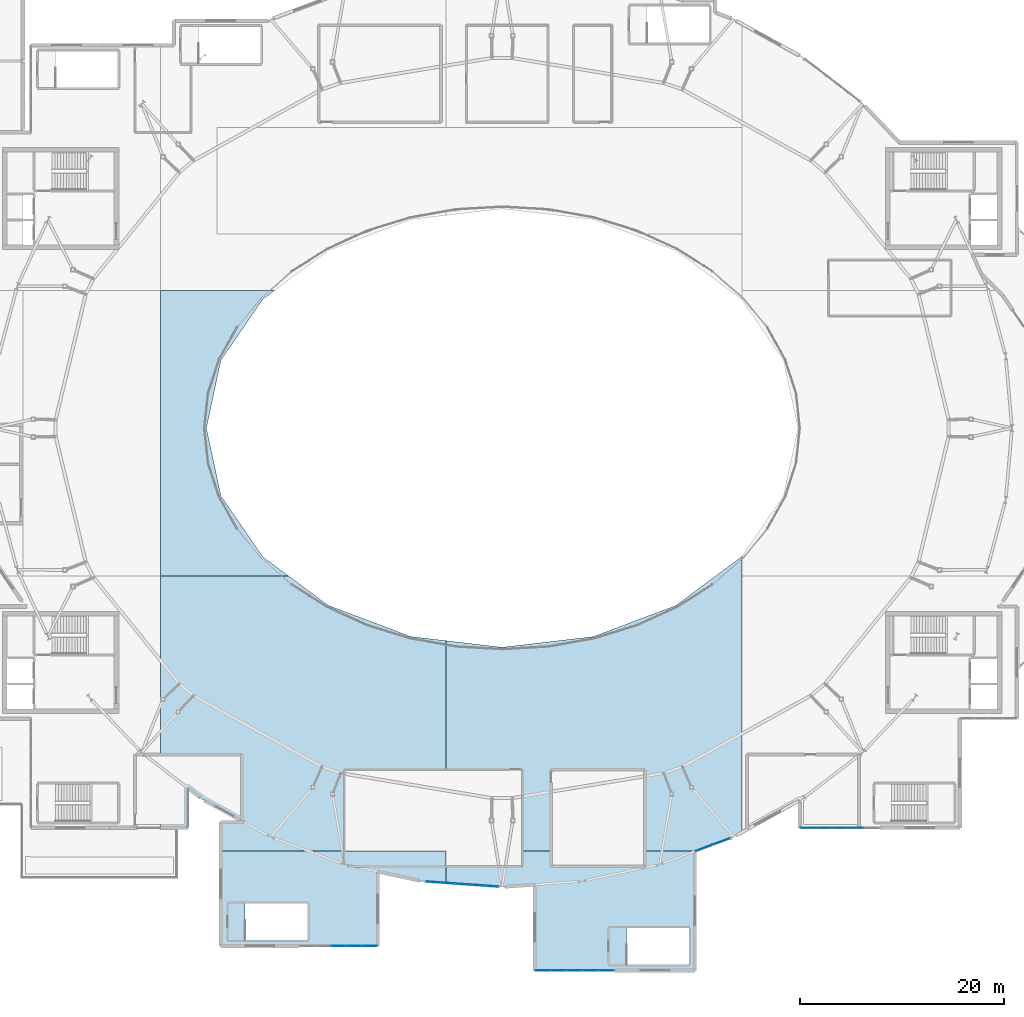
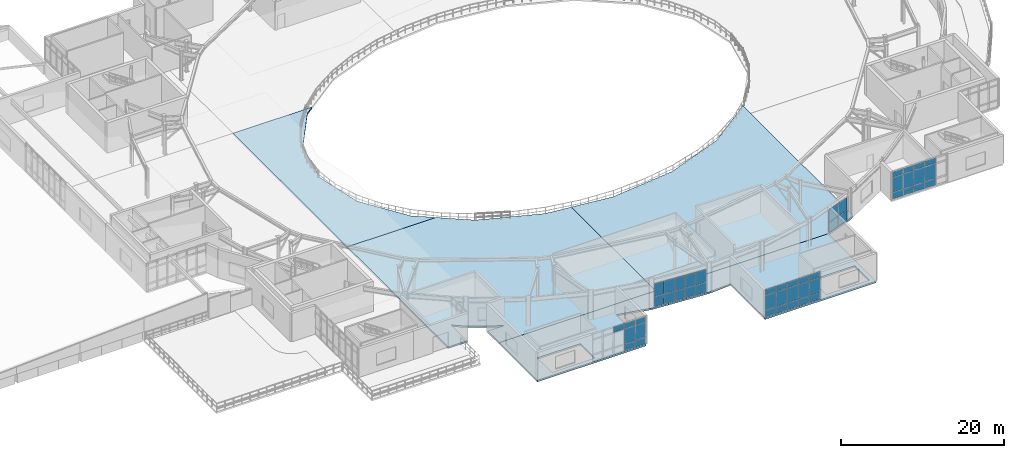
# One storey, part 32 of 48: 48 plates, 5 slabs, 5 elements without a shape of their own.
"""IFC4 building model written with IfcOpenShell, lengths in metres."""

from ifc_helpers import new_model, si_unit, direction, frame, origin, origin_2d, place, context, subcontext, project, spatial, polyline, rectangle, outline, extrude, material, layer, layer_set, type_object, element, aggregate, save


model = new_model("IFC4")

# Units and contexts
model_context = context("Model", 3, precision=1e-05, world=origin(), true_north=direction((0.0, 1.0)))
body_context = subcontext(model_context, "Body", "Model", "MODEL_VIEW")
ifc_project = project(units=[si_unit("LENGTHUNIT", "METRE"), si_unit("AREAUNIT", "SQUARE_METRE"), si_unit("VOLUMEUNIT", "CUBIC_METRE"), si_unit("PLANEANGLEUNIT", "RADIAN"), si_unit("MASSUNIT", "GRAM", prefix="KILO")], contexts=[model_context])

# Site, building, storey
site_placement = place(None, origin())
site = spatial("IfcSite", under=ifc_project, at=site_placement, CompositionType="ELEMENT")
building_placement = place(site_placement, origin())
building = spatial("IfcBuilding", under=site, at=building_placement, Name="Glasvene Arena", CompositionType="ELEMENT")
storey_placement = place(building_placement, frame((0.0, 0.0, 19.5)))
storey = spatial("IfcBuildingStorey", under=building, at=storey_placement, Name="L04", CompositionType="ELEMENT", Elevation=19.5)

# Curtain wall, plates
ifc_material_1 = material(Name="Low-emissivity laminated double glazing", Category="glass")
curtain_wall_type_1 = type_object("IfcCurtainWallType", Name="CW-FAC-L03-777x419", PredefinedType="USERDEFINED", material=ifc_material_1)
curtain_wall_1_placement = place(storey_placement, frame((129.010009765625, 33.800048828125, 0.0)))
curtain_wall_1 = element("IfcCurtainWall", 1, at=curtain_wall_1_placement, inside=storey, type_object=curtain_wall_type_1, Name="Unitised curtain wall CW-F-L04-180-1251-338-49", ObjectType="CURTAIN WALL", PredefinedType="USERDEFINED")
ifc_layer_1 = layer(ifc_material_1, 0.028076171875)
ifc_layer_set_1 = layer_set([ifc_layer_1], Name="Low-emissivity laminated double glazing")
plate_type = type_object("IfcPlateType", Name="CW-GLZ-28", PredefinedType="CURTAIN_PANEL", material=ifc_layer_set_1)
plate_1_placement = place(storey_placement, frame((126.678955078125, 33.800048828125, 0.10986328125), z_axis=(0.0, 0.0, 1.0), x_axis=(-1.0, 0.0, 0.0)))
plate_1 = element("IfcPlate", 2, at=plate_1_placement, type_object=plate_type, Name="CW-042 panel 2.1", PredefinedType="CURTAIN_PANEL", context=body_context, shape_type="SweptSolid", body=[
    extrude(rectangle(XDim=1.50390625, YDim=0.028076171875, at=origin_2d()), origin(), (0.0, 0.0, 1.0), 0.965087890625),
])
plate_2_placement = place(storey_placement, frame((126.678955078125, 33.800048828125, 1.125), z_axis=(0.0, 0.0, 1.0), x_axis=(-1.0, 0.0, 0.0)))
plate_2 = element("IfcPlate", 3, at=plate_2_placement, type_object=plate_type, Name="CW-042 panel 2.2", PredefinedType="CURTAIN_PANEL", context=body_context, shape_type="SweptSolid", body=[
    extrude(rectangle(XDim=1.50390625, YDim=0.028076171875, at=origin_2d()), origin(), (0.0, 0.0, 1.0), 2.199951171875),
])
plate_3_placement = place(storey_placement, frame((126.678955078125, 33.800048828125, 3.375), z_axis=(0.0, 0.0, 1.0), x_axis=(-1.0, 0.0, 0.0)))
plate_3 = element("IfcPlate", 4, at=plate_3_placement, type_object=plate_type, Name="CW-042 panel 2.3", PredefinedType="CURTAIN_PANEL", context=body_context, shape_type="SweptSolid", body=[
    extrude(rectangle(XDim=1.50390625, YDim=0.028076171875, at=origin_2d()), origin(), (0.0, 0.0, 1.0), 0.824951171875),
])
plate_4_placement = place(storey_placement, frame((125.125, 33.800048828125, 0.10986328125), z_axis=(0.0, 0.0, 1.0), x_axis=(-1.0, 0.0, 0.0)))
plate_4 = element("IfcPlate", 5, at=plate_4_placement, type_object=plate_type, Name="CW-042 panel 3.1", PredefinedType="CURTAIN_PANEL", context=body_context, shape_type="SweptSolid", body=[
    extrude(rectangle(XDim=1.50390625, YDim=0.028076171875, at=origin_2d()), origin(), (0.0, 0.0, 1.0), 0.965087890625),
])
plate_5_placement = place(storey_placement, frame((125.125, 33.800048828125, 1.125), z_axis=(0.0, 0.0, 1.0), x_axis=(-1.0, 0.0, 0.0)))
plate_5 = element("IfcPlate", 6, at=plate_5_placement, type_object=plate_type, Name="CW-042 panel 3.2", PredefinedType="CURTAIN_PANEL", context=body_context, shape_type="SweptSolid", body=[
    extrude(rectangle(XDim=1.50390625, YDim=0.028076171875, at=origin_2d()), origin(), (0.0, 0.0, 1.0), 2.199951171875),
])
plate_6_placement = place(storey_placement, frame((125.125, 33.800048828125, 3.375), z_axis=(0.0, 0.0, 1.0), x_axis=(-1.0, 0.0, 0.0)))
plate_6 = element("IfcPlate", 7, at=plate_6_placement, type_object=plate_type, Name="CW-042 panel 3.3", PredefinedType="CURTAIN_PANEL", context=body_context, shape_type="SweptSolid", body=[
    extrude(rectangle(XDim=1.50390625, YDim=0.028076171875, at=origin_2d()), origin(), (0.0, 0.0, 1.0), 0.824951171875),
])
plate_7_placement = place(storey_placement, frame((123.571044921875, 33.800048828125, 0.10986328125), z_axis=(0.0, 0.0, 1.0), x_axis=(-1.0, 0.0, 0.0)))
plate_7 = element("IfcPlate", 8, at=plate_7_placement, type_object=plate_type, Name="CW-042 panel 4.1", PredefinedType="CURTAIN_PANEL", context=body_context, shape_type="SweptSolid", body=[
    extrude(rectangle(XDim=1.50390625, YDim=0.028076171875, at=origin_2d()), origin(), (0.0, 0.0, 1.0), 0.965087890625),
])
plate_8_placement = place(storey_placement, frame((123.571044921875, 33.800048828125, 1.125), z_axis=(0.0, 0.0, 1.0), x_axis=(-1.0, 0.0, 0.0)))
plate_8 = element("IfcPlate", 9, at=plate_8_placement, type_object=plate_type, Name="CW-042 panel 4.2", PredefinedType="CURTAIN_PANEL", context=body_context, shape_type="SweptSolid", body=[
    extrude(rectangle(XDim=1.50390625, YDim=0.028076171875, at=origin_2d()), origin(), (0.0, 0.0, 1.0), 2.199951171875),
])
plate_9_placement = place(storey_placement, frame((123.571044921875, 33.800048828125, 3.375), z_axis=(0.0, 0.0, 1.0), x_axis=(-1.0, 0.0, 0.0)))
plate_9 = element("IfcPlate", 10, at=plate_9_placement, type_object=plate_type, Name="CW-042 panel 4.3", PredefinedType="CURTAIN_PANEL", context=body_context, shape_type="SweptSolid", body=[
    extrude(rectangle(XDim=1.50390625, YDim=0.028076171875, at=origin_2d()), origin(), (0.0, 0.0, 1.0), 0.824951171875),
])
plate_10_placement = place(storey_placement, frame((122.029541015625, 33.800048828125, 0.10986328125), z_axis=(0.0, 0.0, 1.0), x_axis=(-1.0, 0.0, 0.0)))
plate_10 = element("IfcPlate", 11, at=plate_10_placement, type_object=plate_type, Name="CW-042 panel 5.1", PredefinedType="CURTAIN_PANEL", context=body_context, shape_type="SweptSolid", body=[
    extrude(rectangle(XDim=1.47900390625, YDim=0.028076171875, at=origin_2d()), origin(), (0.0, 0.0, 1.0), 0.965087890625),
])
plate_11_placement = place(storey_placement, frame((122.029541015625, 33.800048828125, 1.125), z_axis=(0.0, 0.0, 1.0), x_axis=(-1.0, 0.0, 0.0)))
plate_11 = element("IfcPlate", 12, at=plate_11_placement, type_object=plate_type, Name="CW-042 panel 5.2", PredefinedType="CURTAIN_PANEL", context=body_context, shape_type="SweptSolid", body=[
    extrude(rectangle(XDim=1.47900390625, YDim=0.028076171875, at=origin_2d()), origin(), (0.0, 0.0, 1.0), 2.199951171875),
])
plate_12_placement = place(storey_placement, frame((122.029541015625, 33.800048828125, 3.375), z_axis=(0.0, 0.0, 1.0), x_axis=(-1.0, 0.0, 0.0)))
plate_12 = element("IfcPlate", 13, at=plate_12_placement, type_object=plate_type, Name="CW-042 panel 5.3", PredefinedType="CURTAIN_PANEL", context=body_context, shape_type="SweptSolid", body=[
    extrude(rectangle(XDim=1.47900390625, YDim=0.028076171875, at=origin_2d()), origin(), (0.0, 0.0, 1.0), 0.824951171875),
])
aggregate(curtain_wall_1, [plate_1, plate_2, plate_3, plate_4, plate_5, plate_6, plate_7, plate_8, plate_9, plate_10, plate_11, plate_12])

curtain_wall_type_2 = type_object("IfcCurtainWallType", Name="CW-FAC-L04-364x350", PredefinedType="USERDEFINED", material=ifc_material_1)
curtain_wall_2_placement = place(storey_placement, frame((114.351806640625, 32.77490234375, 0.0)))
curtain_wall_2 = element("IfcCurtainWall", 14, at=curtain_wall_2_placement, inside=storey, type_object=curtain_wall_type_2, Name="Unitised curtain wall CW-F-L04-150-1126-321-52", ObjectType="CURTAIN WALL", PredefinedType="USERDEFINED")
plate_13_placement = place(storey_placement, frame((113.486328125, 32.452392578125, 0.10986328125), z_axis=(0.0, 0.0, 1.0), x_axis=(-0.937015376263, -0.34928811123, 0.0)))
plate_13 = element("IfcPlate", 15, at=plate_13_placement, type_object=plate_type, Name="CW-052 panel 1.1", PredefinedType="CURTAIN_PANEL", context=body_context, shape_type="SweptSolid", body=[
    extrude(rectangle(XDim=1.746826171875, YDim=0.028076171875, at=origin_2d()), origin(), (0.0, 0.0, 1.0), 1.468017578125),
])
plate_14_placement = place(storey_placement, frame((113.486328125, 32.452392578125, 1.6279296875), z_axis=(0.0, 0.0, 1.0), x_axis=(-0.937015376263, -0.34928811123, 0.0)))
plate_14 = element("IfcPlate", 16, at=plate_14_placement, type_object=plate_type, Name="CW-052 panel 1.2", PredefinedType="CURTAIN_PANEL", context=body_context, shape_type="SweptSolid", body=[
    extrude(rectangle(XDim=1.746826171875, YDim=0.028076171875, at=origin_2d()), origin(), (0.0, 0.0, 1.0), 1.884033203125),
])
plate_15_placement = place(storey_placement, frame((111.802734375, 31.824951171875, 0.10986328125), z_axis=(0.0, 0.0, 1.0), x_axis=(-0.937015376263, -0.34928811123, 0.0)))
plate_15 = element("IfcPlate", 17, at=plate_15_placement, type_object=plate_type, Name="CW-052 panel 2.1", PredefinedType="CURTAIN_PANEL", context=body_context, shape_type="SweptSolid", body=[
    extrude(rectangle(XDim=1.746826171875, YDim=0.028076171875, at=origin_2d()), origin(), (0.0, 0.0, 1.0), 1.468017578125),
])
plate_16_placement = place(storey_placement, frame((111.802734375, 31.824951171875, 1.6279296875), z_axis=(0.0, 0.0, 1.0), x_axis=(-0.937015376263, -0.34928811123, 0.0)))
plate_16 = element("IfcPlate", 18, at=plate_16_placement, type_object=plate_type, Name="CW-052 panel 2.2", PredefinedType="CURTAIN_PANEL", context=body_context, shape_type="SweptSolid", body=[
    extrude(rectangle(XDim=1.746826171875, YDim=0.028076171875, at=origin_2d()), origin(), (0.0, 0.0, 1.0), 1.884033203125),
])
aggregate(curtain_wall_2, [plate_13, plate_14, plate_15, plate_16])

curtain_wall_3_placement = place(storey_placement, frame((103.010009765625, 19.800048828125, 0.0)))
curtain_wall_3 = element("IfcCurtainWall", 19, at=curtain_wall_3_placement, inside=storey, type_object=curtain_wall_type_1, Name="Unitised curtain wall CW-F-L04-180-991-198-55", ObjectType="CURTAIN WALL", PredefinedType="USERDEFINED")
plate_17_placement = place(storey_placement, frame((102.220458984375, 19.800048828125, 0.10986328125), z_axis=(0.0, 0.0, 1.0), x_axis=(-1.0, 0.0, 0.0)))
plate_17 = element("IfcPlate", 20, at=plate_17_placement, type_object=plate_type, Name="CW-042 panel 1.1", PredefinedType="CURTAIN_PANEL", context=body_context, shape_type="SweptSolid", body=[
    extrude(rectangle(XDim=1.47900390625, YDim=0.028076171875, at=origin_2d()), origin(), (0.0, 0.0, 1.0), 0.965087890625),
])
plate_18_placement = place(storey_placement, frame((102.220458984375, 19.800048828125, 1.125), z_axis=(0.0, 0.0, 1.0), x_axis=(-1.0, 0.0, 0.0)))
plate_18 = element("IfcPlate", 21, at=plate_18_placement, type_object=plate_type, Name="CW-042 panel 1.2", PredefinedType="CURTAIN_PANEL", context=body_context, shape_type="SweptSolid", body=[
    extrude(rectangle(XDim=1.47900390625, YDim=0.028076171875, at=origin_2d()), origin(), (0.0, 0.0, 1.0), 2.199951171875),
])
plate_19_placement = place(storey_placement, frame((102.220458984375, 19.800048828125, 3.375), z_axis=(0.0, 0.0, 1.0), x_axis=(-1.0, 0.0, 0.0)))
plate_19 = element("IfcPlate", 22, at=plate_19_placement, type_object=plate_type, Name="CW-042 panel 1.3", PredefinedType="CURTAIN_PANEL", context=body_context, shape_type="SweptSolid", body=[
    extrude(rectangle(XDim=1.47900390625, YDim=0.028076171875, at=origin_2d()), origin(), (0.0, 0.0, 1.0), 0.824951171875),
])
plate_20_placement = place(storey_placement, frame((100.678955078125, 19.800048828125, 0.10986328125), z_axis=(0.0, 0.0, 1.0), x_axis=(-1.0, 0.0, 0.0)))
plate_20 = element("IfcPlate", 23, at=plate_20_placement, type_object=plate_type, Name="CW-042 panel 2.1", PredefinedType="CURTAIN_PANEL", context=body_context, shape_type="SweptSolid", body=[
    extrude(rectangle(XDim=1.50390625, YDim=0.028076171875, at=origin_2d()), origin(), (0.0, 0.0, 1.0), 0.965087890625),
])
plate_21_placement = place(storey_placement, frame((100.678955078125, 19.800048828125, 1.125), z_axis=(0.0, 0.0, 1.0), x_axis=(-1.0, 0.0, 0.0)))
plate_21 = element("IfcPlate", 24, at=plate_21_placement, type_object=plate_type, Name="CW-042 panel 2.2", PredefinedType="CURTAIN_PANEL", context=body_context, shape_type="SweptSolid", body=[
    extrude(rectangle(XDim=1.50390625, YDim=0.028076171875, at=origin_2d()), origin(), (0.0, 0.0, 1.0), 2.199951171875),
])
plate_22_placement = place(storey_placement, frame((100.678955078125, 19.800048828125, 3.375), z_axis=(0.0, 0.0, 1.0), x_axis=(-1.0, 0.0, 0.0)))
plate_22 = element("IfcPlate", 25, at=plate_22_placement, type_object=plate_type, Name="CW-042 panel 2.3", PredefinedType="CURTAIN_PANEL", context=body_context, shape_type="SweptSolid", body=[
    extrude(rectangle(XDim=1.50390625, YDim=0.028076171875, at=origin_2d()), origin(), (0.0, 0.0, 1.0), 0.824951171875),
])
plate_23_placement = place(storey_placement, frame((99.125, 19.800048828125, 0.10986328125), z_axis=(0.0, 0.0, 1.0), x_axis=(-1.0, 0.0, 0.0)))
plate_23 = element("IfcPlate", 26, at=plate_23_placement, type_object=plate_type, Name="CW-042 panel 3.1", PredefinedType="CURTAIN_PANEL", context=body_context, shape_type="SweptSolid", body=[
    extrude(rectangle(XDim=1.50390625, YDim=0.028076171875, at=origin_2d()), origin(), (0.0, 0.0, 1.0), 0.965087890625),
])
plate_24_placement = place(storey_placement, frame((99.125, 19.800048828125, 1.125), z_axis=(0.0, 0.0, 1.0), x_axis=(-1.0, 0.0, 0.0)))
plate_24 = element("IfcPlate", 27, at=plate_24_placement, type_object=plate_type, Name="CW-042 panel 3.2", PredefinedType="CURTAIN_PANEL", context=body_context, shape_type="SweptSolid", body=[
    extrude(rectangle(XDim=1.50390625, YDim=0.028076171875, at=origin_2d()), origin(), (0.0, 0.0, 1.0), 2.199951171875),
])
plate_25_placement = place(storey_placement, frame((99.125, 19.800048828125, 3.375), z_axis=(0.0, 0.0, 1.0), x_axis=(-1.0, 0.0, 0.0)))
plate_25 = element("IfcPlate", 28, at=plate_25_placement, type_object=plate_type, Name="CW-042 panel 3.3", PredefinedType="CURTAIN_PANEL", context=body_context, shape_type="SweptSolid", body=[
    extrude(rectangle(XDim=1.50390625, YDim=0.028076171875, at=origin_2d()), origin(), (0.0, 0.0, 1.0), 0.824951171875),
])
plate_26_placement = place(storey_placement, frame((97.571044921875, 19.800048828125, 0.10986328125), z_axis=(0.0, 0.0, 1.0), x_axis=(-1.0, 0.0, 0.0)))
plate_26 = element("IfcPlate", 29, at=plate_26_placement, type_object=plate_type, Name="CW-042 panel 4.1", PredefinedType="CURTAIN_PANEL", context=body_context, shape_type="SweptSolid", body=[
    extrude(rectangle(XDim=1.50390625, YDim=0.028076171875, at=origin_2d()), origin(), (0.0, 0.0, 1.0), 0.965087890625),
])
plate_27_placement = place(storey_placement, frame((97.571044921875, 19.800048828125, 1.125), z_axis=(0.0, 0.0, 1.0), x_axis=(-1.0, 0.0, 0.0)))
plate_27 = element("IfcPlate", 30, at=plate_27_placement, type_object=plate_type, Name="CW-042 panel 4.2", PredefinedType="CURTAIN_PANEL", context=body_context, shape_type="SweptSolid", body=[
    extrude(rectangle(XDim=1.50390625, YDim=0.028076171875, at=origin_2d()), origin(), (0.0, 0.0, 1.0), 2.199951171875),
])
plate_28_placement = place(storey_placement, frame((97.571044921875, 19.800048828125, 3.375), z_axis=(0.0, 0.0, 1.0), x_axis=(-1.0, 0.0, 0.0)))
plate_28 = element("IfcPlate", 31, at=plate_28_placement, type_object=plate_type, Name="CW-042 panel 4.3", PredefinedType="CURTAIN_PANEL", context=body_context, shape_type="SweptSolid", body=[
    extrude(rectangle(XDim=1.50390625, YDim=0.028076171875, at=origin_2d()), origin(), (0.0, 0.0, 1.0), 0.824951171875),
])
plate_29_placement = place(storey_placement, frame((96.029541015625, 19.800048828125, 0.10986328125), z_axis=(0.0, 0.0, 1.0), x_axis=(-1.0, 0.0, 0.0)))
plate_29 = element("IfcPlate", 32, at=plate_29_placement, type_object=plate_type, Name="CW-042 panel 5.1", PredefinedType="CURTAIN_PANEL", context=body_context, shape_type="SweptSolid", body=[
    extrude(rectangle(XDim=1.47900390625, YDim=0.028076171875, at=origin_2d()), origin(), (0.0, 0.0, 1.0), 0.965087890625),
])
plate_30_placement = place(storey_placement, frame((96.029541015625, 19.800048828125, 1.125), z_axis=(0.0, 0.0, 1.0), x_axis=(-1.0, 0.0, 0.0)))
plate_30 = element("IfcPlate", 33, at=plate_30_placement, type_object=plate_type, Name="CW-042 panel 5.2", PredefinedType="CURTAIN_PANEL", context=body_context, shape_type="SweptSolid", body=[
    extrude(rectangle(XDim=1.47900390625, YDim=0.028076171875, at=origin_2d()), origin(), (0.0, 0.0, 1.0), 2.199951171875),
])
plate_31_placement = place(storey_placement, frame((96.029541015625, 19.800048828125, 3.375), z_axis=(0.0, 0.0, 1.0), x_axis=(-1.0, 0.0, 0.0)))
plate_31 = element("IfcPlate", 34, at=plate_31_placement, type_object=plate_type, Name="CW-042 panel 5.3", PredefinedType="CURTAIN_PANEL", context=body_context, shape_type="SweptSolid", body=[
    extrude(rectangle(XDim=1.47900390625, YDim=0.028076171875, at=origin_2d()), origin(), (0.0, 0.0, 1.0), 0.824951171875),
])
aggregate(curtain_wall_3, [plate_17, plate_18, plate_19, plate_20, plate_21, plate_22, plate_23, plate_24, plate_25, plate_26, plate_27, plate_28, plate_29, plate_30, plate_31])

curtain_wall_type_3 = type_object("IfcCurtainWallType", Name="CW-FAC-L04-710x350", PredefinedType="USERDEFINED", material=ifc_material_1)
curtain_wall_4_placement = place(storey_placement, frame((91.633056640625, 28.02587890625, 0.0)))
curtain_wall_4 = element("IfcCurtainWall", 35, at=curtain_wall_4_placement, inside=storey, type_object=curtain_wall_type_3, Name="Unitised curtain wall CW-F-L04-150-881-283-58", ObjectType="CURTAIN WALL", PredefinedType="USERDEFINED")
plate_32_placement = place(storey_placement, frame((90.911865234375, 28.0771484375, 0.10986328125), z_axis=(0.0, 0.0, 1.0), x_axis=(-0.997500679029, 0.070656884566, 0.0)))
plate_32 = element("IfcPlate", 36, at=plate_32_placement, type_object=plate_type, Name="CW-053 panel 1.1", PredefinedType="CURTAIN_PANEL", context=body_context, shape_type="SweptSolid", body=[
    extrude(rectangle(XDim=1.345947265625, YDim=0.028076171875, at=origin_2d()), origin(), (0.0, 0.0, 1.0), 1.468017578125),
])
plate_33_placement = place(storey_placement, frame((90.911865234375, 28.0771484375, 1.6279296875), z_axis=(0.0, 0.0, 1.0), x_axis=(-0.997500679029, 0.070656884566, 0.0)))
plate_33 = element("IfcPlate", 37, at=plate_33_placement, type_object=plate_type, Name="CW-053 panel 1.2", PredefinedType="CURTAIN_PANEL", context=body_context, shape_type="SweptSolid", body=[
    extrude(rectangle(XDim=1.345947265625, YDim=0.028076171875, at=origin_2d()), origin(), (0.0, 0.0, 1.0), 1.884033203125),
])
plate_34_placement = place(storey_placement, frame((89.507080078125, 28.176513671875, 0.10986328125), z_axis=(0.0, 0.0, 1.0), x_axis=(-0.997500679029, 0.070656884566, 0.0)))
plate_34 = element("IfcPlate", 38, at=plate_34_placement, type_object=plate_type, Name="CW-053 panel 2.1", PredefinedType="CURTAIN_PANEL", context=body_context, shape_type="SweptSolid", body=[
    extrude(rectangle(XDim=1.370849609375, YDim=0.028076171875, at=origin_2d()), origin(), (0.0, 0.0, 1.0), 1.468017578125),
])
plate_35_placement = place(storey_placement, frame((89.507080078125, 28.176513671875, 1.6279296875), z_axis=(0.0, 0.0, 1.0), x_axis=(-0.997500679029, 0.070656884566, 0.0)))
plate_35 = element("IfcPlate", 39, at=plate_35_placement, type_object=plate_type, Name="CW-053 panel 2.2", PredefinedType="CURTAIN_PANEL", context=body_context, shape_type="SweptSolid", body=[
    extrude(rectangle(XDim=1.370849609375, YDim=0.028076171875, at=origin_2d()), origin(), (0.0, 0.0, 1.0), 1.884033203125),
])
plate_36_placement = place(storey_placement, frame((88.089599609375, 28.277099609375, 0.10986328125), z_axis=(0.0, 0.0, 1.0), x_axis=(-0.997500679029, 0.070656884566, 0.0)))
plate_36 = element("IfcPlate", 40, at=plate_36_placement, type_object=plate_type, Name="CW-053 panel 3.1", PredefinedType="CURTAIN_PANEL", context=body_context, shape_type="SweptSolid", body=[
    extrude(rectangle(XDim=1.370849609375, YDim=0.028076171875, at=origin_2d()), origin(), (0.0, 0.0, 1.0), 1.468017578125),
])
plate_37_placement = place(storey_placement, frame((88.089599609375, 28.277099609375, 1.6279296875), z_axis=(0.0, 0.0, 1.0), x_axis=(-0.997500679029, 0.070656884566, 0.0)))
plate_37 = element("IfcPlate", 41, at=plate_37_placement, type_object=plate_type, Name="CW-053 panel 3.2", PredefinedType="CURTAIN_PANEL", context=body_context, shape_type="SweptSolid", body=[
    extrude(rectangle(XDim=1.370849609375, YDim=0.028076171875, at=origin_2d()), origin(), (0.0, 0.0, 1.0), 1.884033203125),
])
plate_38_placement = place(storey_placement, frame((86.672119140625, 28.37744140625, 0.10986328125), z_axis=(0.0, 0.0, 1.0), x_axis=(-0.997500679029, 0.070656884566, 0.0)))
plate_38 = element("IfcPlate", 42, at=plate_38_placement, type_object=plate_type, Name="CW-053 panel 4.1", PredefinedType="CURTAIN_PANEL", context=body_context, shape_type="SweptSolid", body=[
    extrude(rectangle(XDim=1.370849609375, YDim=0.028076171875, at=origin_2d()), origin(), (0.0, 0.0, 1.0), 1.468017578125),
])
plate_39_placement = place(storey_placement, frame((86.672119140625, 28.37744140625, 1.6279296875), z_axis=(0.0, 0.0, 1.0), x_axis=(-0.997500679029, 0.070656884566, 0.0)))
plate_39 = element("IfcPlate", 43, at=plate_39_placement, type_object=plate_type, Name="CW-053 panel 4.2", PredefinedType="CURTAIN_PANEL", context=body_context, shape_type="SweptSolid", body=[
    extrude(rectangle(XDim=1.370849609375, YDim=0.028076171875, at=origin_2d()), origin(), (0.0, 0.0, 1.0), 1.884033203125),
])
plate_40_placement = place(storey_placement, frame((85.267333984375, 28.476806640625, 0.10986328125), z_axis=(0.0, 0.0, 1.0), x_axis=(-0.997500679029, 0.070656884566, 0.0)))
plate_40 = element("IfcPlate", 44, at=plate_40_placement, type_object=plate_type, Name="CW-053 panel 5.1", PredefinedType="CURTAIN_PANEL", context=body_context, shape_type="SweptSolid", body=[
    extrude(rectangle(XDim=1.345947265625, YDim=0.028076171875, at=origin_2d()), origin(), (0.0, 0.0, 1.0), 1.468017578125),
])
plate_41_placement = place(storey_placement, frame((85.267333984375, 28.476806640625, 1.6279296875), z_axis=(0.0, 0.0, 1.0), x_axis=(-0.997500679029, 0.070656884566, 0.0)))
plate_41 = element("IfcPlate", 45, at=plate_41_placement, type_object=plate_type, Name="CW-053 panel 5.2", PredefinedType="CURTAIN_PANEL", context=body_context, shape_type="SweptSolid", body=[
    extrude(rectangle(XDim=1.345947265625, YDim=0.028076171875, at=origin_2d()), origin(), (0.0, 0.0, 1.0), 1.884033203125),
])
aggregate(curtain_wall_4, [plate_32, plate_33, plate_34, plate_35, plate_36, plate_37, plate_38, plate_39, plate_40, plate_41])

curtain_wall_type_4 = type_object("IfcCurtainWallType", Name="CW-FAC-L03-762x419", PredefinedType="USERDEFINED", material=ifc_material_1)
curtain_wall_5_placement = place(storey_placement, frame((79.760009765625, 22.199951171875, 0.0)))
curtain_wall_5 = element("IfcCurtainWall", 46, at=curtain_wall_5_placement, inside=storey, type_object=curtain_wall_type_4, Name="Unitised curtain wall CW-F-L04-180-759-222-61", ObjectType="CURTAIN WALL", PredefinedType="USERDEFINED")
plate_42_placement = place(storey_placement, frame((78.985595703125, 22.199951171875, 0.10986328125), z_axis=(0.0, 0.0, 1.0), x_axis=(-1.0, 0.0, 0.0)))
plate_42 = element("IfcPlate", 47, at=plate_42_placement, type_object=plate_type, Name="CW-043 panel 1.1", PredefinedType="CURTAIN_PANEL", context=body_context, shape_type="SweptSolid", body=[
    extrude(rectangle(XDim=1.448974609375, YDim=0.028076171875, at=origin_2d()), origin(), (0.0, 0.0, 1.0), 0.965087890625),
])
plate_43_placement = place(storey_placement, frame((78.985595703125, 22.199951171875, 1.125), z_axis=(0.0, 0.0, 1.0), x_axis=(-1.0, 0.0, 0.0)))
plate_43 = element("IfcPlate", 48, at=plate_43_placement, type_object=plate_type, Name="CW-043 panel 1.2", PredefinedType="CURTAIN_PANEL", context=body_context, shape_type="SweptSolid", body=[
    extrude(rectangle(XDim=1.448974609375, YDim=0.028076171875, at=origin_2d()), origin(), (0.0, 0.0, 1.0), 2.199951171875),
])
plate_44_placement = place(storey_placement, frame((78.985595703125, 22.199951171875, 3.375), z_axis=(0.0, 0.0, 1.0), x_axis=(-1.0, 0.0, 0.0)))
plate_44 = element("IfcPlate", 49, at=plate_44_placement, type_object=plate_type, Name="CW-043 panel 1.3", PredefinedType="CURTAIN_PANEL", context=body_context, shape_type="SweptSolid", body=[
    extrude(rectangle(XDim=1.448974609375, YDim=0.028076171875, at=origin_2d()), origin(), (0.0, 0.0, 1.0), 0.824951171875),
])
plate_45_placement = place(storey_placement, frame((77.47412109375, 22.199951171875, 0.10986328125), z_axis=(0.0, 0.0, 1.0), x_axis=(-1.0, 0.0, 0.0)))
plate_45 = element("IfcPlate", 50, at=plate_45_placement, type_object=plate_type, Name="CW-043 panel 2.1", PredefinedType="CURTAIN_PANEL", context=body_context, shape_type="SweptSolid", body=[
    extrude(rectangle(XDim=1.47412109375, YDim=0.028076171875, at=origin_2d()), origin(), (0.0, 0.0, 1.0), 0.965087890625),
])
plate_46_placement = place(storey_placement, frame((77.47412109375, 22.199951171875, 1.125), z_axis=(0.0, 0.0, 1.0), x_axis=(-1.0, 0.0, 0.0)))
plate_46 = element("IfcPlate", 51, at=plate_46_placement, type_object=plate_type, Name="CW-043 panel 2.2", PredefinedType="CURTAIN_PANEL", context=body_context, shape_type="SweptSolid", body=[
    extrude(rectangle(XDim=1.47412109375, YDim=0.028076171875, at=origin_2d()), origin(), (0.0, 0.0, 1.0), 2.199951171875),
])
plate_47_placement = place(storey_placement, frame((77.47412109375, 22.199951171875, 3.375), z_axis=(0.0, 0.0, 1.0), x_axis=(-1.0, 0.0, 0.0)))
plate_47 = element("IfcPlate", 52, at=plate_47_placement, type_object=plate_type, Name="CW-043 panel 2.3", PredefinedType="CURTAIN_PANEL", context=body_context, shape_type="SweptSolid", body=[
    extrude(rectangle(XDim=1.47412109375, YDim=0.028076171875, at=origin_2d()), origin(), (0.0, 0.0, 1.0), 0.824951171875),
])
plate_48_placement = place(storey_placement, frame((75.949951171875, 22.199951171875, 3.375), z_axis=(0.0, 0.0, 1.0), x_axis=(-1.0, 0.0, 0.0)))
plate_48 = element("IfcPlate", 53, at=plate_48_placement, type_object=plate_type, Name="CW-043 panel 3.3", PredefinedType="CURTAIN_PANEL", context=body_context, shape_type="SweptSolid", body=[
    extrude(rectangle(XDim=1.47412109375, YDim=0.028076171875, at=origin_2d()), origin(), (0.0, 0.0, 1.0), 0.824951171875),
])
aggregate(curtain_wall_5, [plate_42, plate_43, plate_44, plate_45, plate_46, plate_47, plate_48])

# Slabs
ifc_material_2 = material(Name="Concrete C40/50", Category="concrete")
ifc_layer_2 = layer(ifc_material_2, 0.25)
ifc_layer_set_2 = layer_set([ifc_layer_2], Name="Concrete C40/50")
slab_type = type_object("IfcSlabType", Name="SL-UPPER-250", PredefinedType="FLOOR", material=ifc_layer_set_2)
slab_1_placement = place(storey_placement, frame((77.939697265625, 27.69189453125, -0.25)))
element("IfcSlab", 54, at=slab_1_placement, inside=storey, type_object=slab_type, Name="Structural floor slab L04 sector 1-3 (102)", PredefinedType="FLOOR", context=body_context, shape_type="SweptSolid", body=[
    extrude(outline(polyline([(1.8603515625, 1.80810546875), (1.8603515625, -5.491943359375), (-13.539794921875, -5.491943359375), (-13.539794921875, 3.80810546875), (8.560302734375, 3.80810546875), (8.560302734375, 0.69775390625), (6.238525390625, 0.862060546875), (1.8603515625, 1.80810546875)]), holes=[polyline([(-5.039794921875, -1.341796875), (-11.1376953125, -1.341796875), (-11.1376953125, -4.891845703125), (-5.039794921875, -4.891845703125), (-5.039794921875, -1.341796875)])]), origin(), (0.0, 0.0, 1.0), 0.25),
])
slab_2_placement = place(storey_placement, frame((98.516357421875, 27.338134765625, -0.25)))
element("IfcSlab", 55, at=slab_2_placement, inside=storey, type_object=slab_type, Name="Structural floor slab L04 sector 1-4 (103)", PredefinedType="FLOOR", context=body_context, shape_type="SweptSolid", body=[
    extrude(outline(polyline([(12.383544921875, -7.5380859375), (-3.31640625, -7.5380859375), (-3.31640625, 0.888671875), (-6.516357421875, 0.661865234375), (-12.016357421875, 1.051513671875), (-12.016357421875, 4.161865234375), (12.4150390625, 4.161865234375), (12.383544921875, 4.150146484375), (12.383544921875, -7.5380859375)]), holes=[polyline([(11.78369140625, -3.38818359375), (5.685546875, -3.38818359375), (5.685546875, -6.938232421875), (11.78369140625, -6.938232421875), (11.78369140625, -3.38818359375)])]), origin(), (0.0, 0.0, 1.0), 0.25),
])
slab_3_placement = place(storey_placement, frame((69.19482421875, 42.375244140625, -0.25)))
element("IfcSlab", 56, at=slab_3_placement, inside=storey, type_object=slab_type, Name="Structural floor slab L04 sector 2-3 (105)", PredefinedType="FLOOR", context=body_context, shape_type="SweptSolid", body=[
    extrude(outline(polyline([(-7.994873046875, -4.696533203125), (-7.994873046875, -8.5751953125), (-10.69482421875, -8.5751953125), (-10.69482421875, 16.124755859375), (1.85595703125, 16.124755859375), (5.75927734375, 13.23095703125), (13.84375, 10.177001953125), (17.30517578125, 9.7705078125), (17.30517578125, -10.875244140625), (-4.794921875, -10.875244140625), (-4.794921875, -8.025146484375), (-2.514892578125, -8.025146484375), (-6.584228515625, -5.781005859375), (-7.994873046875, -4.696533203125)])), origin(), (0.0, 0.0, 1.0), 0.25),
])
slab_4_placement = place(storey_placement, frame((104.7099609375, 46.18359375, -0.25)))
element("IfcSlab", 57, at=slab_4_placement, inside=storey, type_object=slab_type, Name="Structural floor slab L04 sector 2-4 (106)", PredefinedType="FLOOR", context=body_context, shape_type="SweptSolid", body=[
    extrude(outline(polyline([(6.221435546875, -14.68359375), (-18.2099609375, -14.68359375), (-18.2099609375, 5.962158203125), (-12.7099609375, 5.31640625), (-3.74853515625, 6.36865234375), (4.3359375, 9.422607421875), (10.75146484375, 14.178955078125), (10.7900390625, 14.235107421875), (10.7900390625, -12.83740234375), (9.989501953125, -13.27880859375), (6.221435546875, -14.68359375)])), origin(), (0.0, 0.0, 1.0), 0.25),
])
slab_5_placement = place(storey_placement, frame((65.185302734375, 72.77783203125, -0.25)))
element("IfcSlab", 58, at=slab_5_placement, inside=storey, type_object=slab_type, Name="Structural floor slab L04 sector 3-3 (109)", PredefinedType="FLOOR", context=body_context, shape_type="SweptSolid", body=[
    extrude(outline(polyline([(3.353271484375, 12.859619140625), (-0.765869140625, 6.865966796875), (-2.185302734375, 0.22216796875), (-0.765869140625, -6.421630859375), (3.353271484375, -12.415283203125), (5.865478515625, -14.27783203125), (-6.685302734375, -14.27783203125), (-6.685302734375, 13.72216796875), (4.5166015625, 13.72216796875), (3.353271484375, 12.859619140625)])), origin(), (0.0, 0.0, 1.0), 0.25),
])

save(model, "model.ifc")
